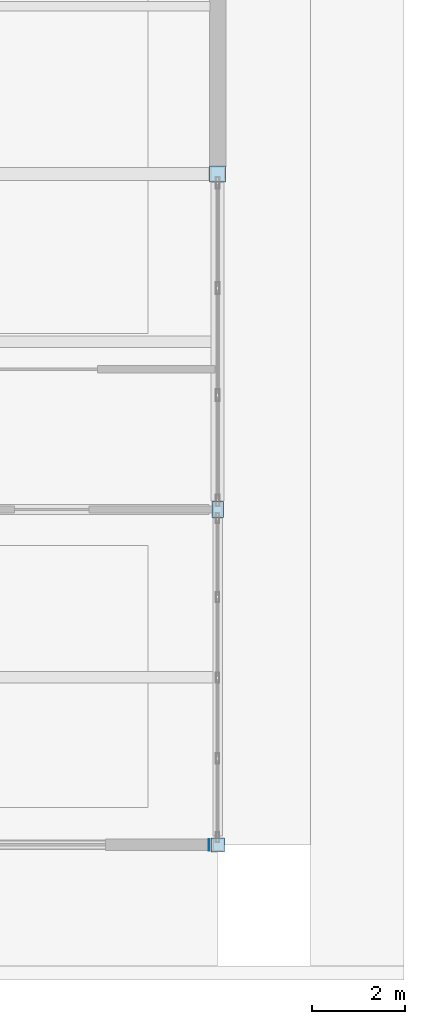
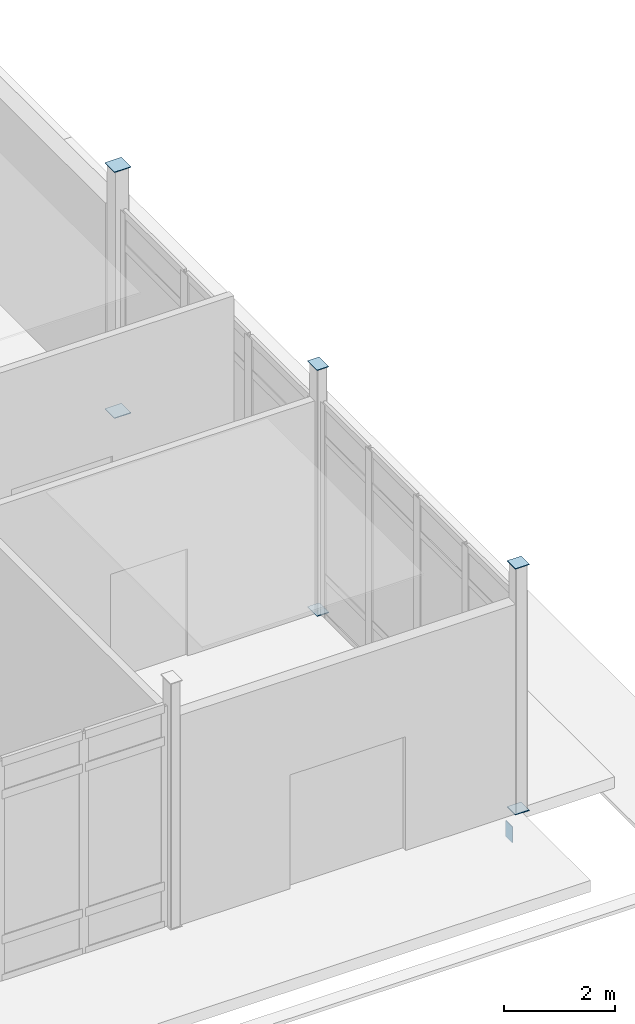
# One storey, part 182 of 229: 7 plates.
"""IFC4 building model written with IfcOpenShell, lengths in metres."""

from ifc_helpers import new_model, si_unit, direction, frame, origin, origin_2d, place, context, subcontext, project, spatial, rectangle, extrude, material, layer, layer_set, type_object, element, save


model = new_model("IFC4")

# Units and contexts
model_context = context("Model", 3, precision=1e-05, world=origin(), true_north=direction((0.0, 1.0)))
body_context = subcontext(model_context, "Body", "Model", "MODEL_VIEW")
ifc_project = project(units=[si_unit("LENGTHUNIT", "METRE"), si_unit("AREAUNIT", "SQUARE_METRE"), si_unit("VOLUMEUNIT", "CUBIC_METRE"), si_unit("PLANEANGLEUNIT", "RADIAN"), si_unit("MASSUNIT", "GRAM", prefix="KILO")], contexts=[model_context])

# Site, building, storey
site_placement = place(None, origin())
site = spatial("IfcSite", under=ifc_project, at=site_placement, CompositionType="ELEMENT")
building_placement = place(site_placement, origin())
building = spatial("IfcBuilding", under=site, at=building_placement, Name="Calvrana Isthmian Art Gallery", CompositionType="ELEMENT")
storey_placement = place(building_placement, origin())
storey = spatial("IfcBuildingStorey", under=building, at=storey_placement, Name="L00", CompositionType="ELEMENT", Elevation=0.0)

# Plates
ifc_material = material(Name="Steel ASTM A572 Gr 50", Category="steel")
ifc_layer = layer(ifc_material, 0.01611328125, Name="Steel ASTM A572 Gr 50")
ifc_layer_set = layer_set([ifc_layer], Name="Steel ASTM A572 Gr 50")
plate_type = type_object("IfcPlateType", Name="PL-CAP-16", PredefinedType="SHEET", material=ifc_layer_set)
for number, where, z_axis, x_axis, name in (
    (1, (163.199951171875, 0.0, -0.008056640625), (0.0, 0.0, 1.0), (1.0, 0.0, 0.0), "Hollow section end cap plate 361"),
    (2, (163.199951171875, 0.0, 5.391845703125), (0.0, 0.0, 1.0), (1.0, 0.0, 0.0), "Hollow section end cap plate 362"),
):
    element("IfcPlate", number, at=place(storey_placement, frame(where, z_axis=z_axis, x_axis=x_axis)), inside=storey, type_object=plate_type, Name=name, PredefinedType="SHEET", context=body_context, shape_type="SweptSolid", body=[
        extrude(rectangle(XDim=0.2939453125, YDim=0.2939453125, at=origin_2d()), origin(), (0.0, 0.0, 1.0), 0.01611328125),
    ])
for number, where, z_axis, x_axis, name in (
    (3, (163.199951171875, 7.199951171875, -0.008056640625), (0.0, 0.0, 1.0), (1.0, 0.0, 0.0), "Hollow section end cap plate 363"),
    (4, (163.199951171875, 7.199951171875, 5.391845703125), (0.0, 0.0, 1.0), (1.0, 0.0, 0.0), "Hollow section end cap plate 364"),
):
    element("IfcPlate", number, at=place(storey_placement, frame(where, z_axis=z_axis, x_axis=x_axis)), inside=storey, type_object=plate_type, Name=name, PredefinedType="SHEET", context=body_context, shape_type="SweptSolid", body=[
        extrude(rectangle(XDim=0.2431640625, YDim=0.3447265625, at=origin_2d()), origin(), (0.0, 0.0, 1.0), 0.01611328125),
    ])
for number, where, z_axis, x_axis, name in (
    (5, (163.199951171875, 14.39990234375, -0.008056640625), (0.0, 0.0, 1.0), (1.0, 0.0, 0.0), "Hollow section end cap plate 365"),
    (6, (163.199951171875, 14.39990234375, 5.391845703125), (0.0, 0.0, 1.0), (1.0, 0.0, 0.0), "Hollow section end cap plate 366"),
):
    element("IfcPlate", number, at=place(storey_placement, frame(where, z_axis=z_axis, x_axis=x_axis)), inside=storey, type_object=plate_type, Name=name, PredefinedType="SHEET", context=body_context, shape_type="SweptSolid", body=[
        extrude(rectangle(XDim=0.3447265625, YDim=0.3447265625, at=origin_2d()), origin(), (0.0, 0.0, 1.0), 0.01611328125),
    ])
plate_placement = place(storey_placement, frame((163.013427734375, 0.0, -0.60986328125), z_axis=(0.0, 0.0, 1.0), x_axis=(1.0, 0.0, 0.0)))
element("IfcPlate", 7, at=plate_placement, inside=storey, type_object=plate_type, Name="Hollow section end cap plate 378", PredefinedType="SHEET", context=body_context, shape_type="SweptSolid", body=[
    extrude(rectangle(XDim=0.01611328125, YDim=0.2431640625, at=origin_2d()), origin(), (0.0, 0.0, 1.0), 0.3447265625),
])

save(model, "model.ifc")
